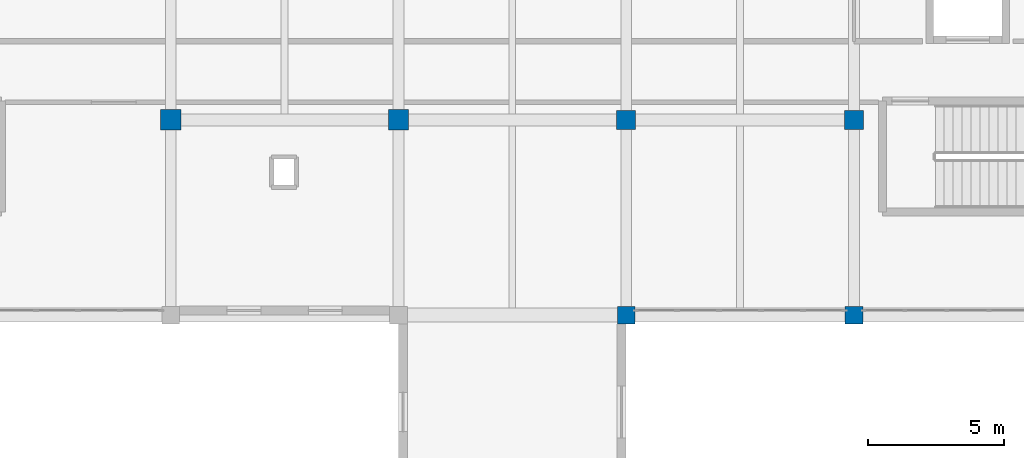
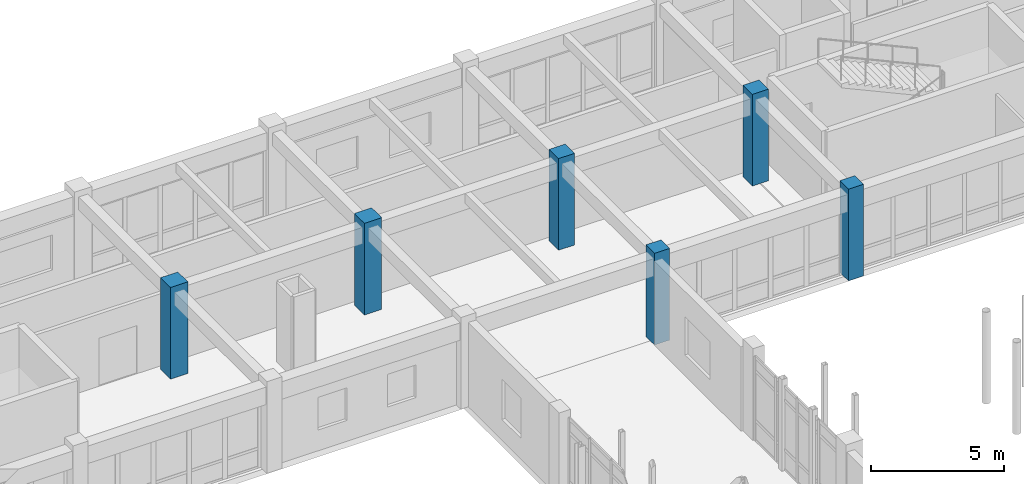
# One storey, part 25 of 147: 6 columns.
"""IFC4 building model written with IfcOpenShell, lengths in metres."""

from ifc_helpers import new_model, si_unit, direction, frame, origin, origin_2d, place, context, subcontext, project, spatial, rectangle, extrude, material, material_profile, profile_set, type_object, element, save


model = new_model("IFC4")

# Units and contexts
model_context = context("Model", 3, precision=1e-05, world=origin(), true_north=direction((0.0, 1.0)))
body_context = subcontext(model_context, "Body", "Model", "MODEL_VIEW")
ifc_project = project(units=[si_unit("LENGTHUNIT", "METRE"), si_unit("AREAUNIT", "SQUARE_METRE"), si_unit("VOLUMEUNIT", "CUBIC_METRE"), si_unit("PLANEANGLEUNIT", "RADIAN"), si_unit("MASSUNIT", "GRAM", prefix="KILO")], contexts=[model_context])

# Site, building, storey
site_placement = place(None, origin())
site = spatial("IfcSite", under=ifc_project, at=site_placement, CompositionType="ELEMENT")
building_placement = place(site_placement, origin())
building = spatial("IfcBuilding", under=site, at=building_placement, Name="Malvenik Polytechnic", CompositionType="ELEMENT")
storey_placement = place(building_placement, frame((0.0, 0.0, 5.10009765625)))
storey = spatial("IfcBuildingStorey", under=building, at=storey_placement, Name="L01", CompositionType="ELEMENT", Elevation=5.10009765625)

# Columns
ifc_material_1 = material(Name="Concrete C40/50", Category="concrete")
ifc_material_profile_1 = material_profile(ifc_material_1, rectangle(XDim=0.75, YDim=0.75, at=origin_2d()), Name="RC COL 750x750")
ifc_profile_set_1 = profile_set([ifc_material_profile_1], Name="Concrete C40/50")
column_type_1 = type_object("IfcColumnType", Name="STR-COL-C-03", PredefinedType="COLUMN", material=ifc_profile_set_1)
for number, where, z_axis, x_axis, name in (
    (1, (67.199951171875, 122.39990234375, 0.0), (0.0, 0.0, 1.0), (1.0, 0.0, 0.0), "Column C-03 L01 (67.2,122.4)"),
    (2, (75.60009765625, 122.39990234375, 0.0), (0.0, 0.0, 1.0), (1.0, 0.0, 0.0), "Column C-03 L01 (75.6,122.4)"),
):
    element("IfcColumn", number, at=place(storey_placement, frame(where, z_axis=z_axis, x_axis=x_axis)), inside=storey, type_object=column_type_1, Name=name, PredefinedType="COLUMN", context=body_context, shape_type="SweptSolid", body=[
        extrude(rectangle(XDim=0.75, YDim=0.75, at=origin_2d()), origin(), (0.0, 0.0, 1.0), 4.199951171875),
    ])
ifc_material_profile_2 = material_profile(ifc_material_1, rectangle(XDim=0.699951171875, YDim=0.699951171875, at=origin_2d()), Name="RC COL 700x700")
ifc_profile_set_2 = profile_set([ifc_material_profile_2], Name="Concrete C40/50")
column_type_2 = type_object("IfcColumnType", Name="STR-COL-C-04", PredefinedType="COLUMN", material=ifc_profile_set_2)
for number, where, z_axis, x_axis, name in (
    (3, (84.0, 122.39990234375, 0.0), (0.0, 0.0, 1.0), (1.0, 0.0, 0.0), "Column C-04 L01 (84.0,122.4)"),
    (4, (92.39990234375, 122.39990234375, 0.0), (0.0, 0.0, 1.0), (1.0, 0.0, 0.0), "Column C-04 L01 (92.4,122.4)"),
):
    element("IfcColumn", number, at=place(storey_placement, frame(where, z_axis=z_axis, x_axis=x_axis)), inside=storey, type_object=column_type_2, Name=name, PredefinedType="COLUMN", context=body_context, shape_type="SweptSolid", body=[
        extrude(rectangle(XDim=0.699951171875, YDim=0.699951171875, at=origin_2d()), origin(), (0.0, 0.0, 1.0), 4.199951171875),
    ])
ifc_material_2 = material(Name="Concrete C35/45", Category="concrete")
ifc_material_profile_3 = material_profile(ifc_material_2, rectangle(XDim=0.64990234375, YDim=0.64990234375, at=origin_2d()), Name="RC COL 650x650")
ifc_profile_set_3 = profile_set([ifc_material_profile_3], Name="Concrete C35/45")
column_type_3 = type_object("IfcColumnType", Name="STR-COL-C-05", PredefinedType="COLUMN", material=ifc_profile_set_3)
for number, where, z_axis, x_axis, name in (
    (5, (84.0, 115.199951171875, 0.0), (0.0, 0.0, 1.0), (1.0, 0.0, 0.0), "Column C-05 L01 (84.0,115.2)"),
    (6, (92.39990234375, 115.199951171875, 0.0), (0.0, 0.0, 1.0), (1.0, 0.0, 0.0), "Column C-05 L01 (92.4,115.2)"),
):
    element("IfcColumn", number, at=place(storey_placement, frame(where, z_axis=z_axis, x_axis=x_axis)), inside=storey, type_object=column_type_3, Name=name, PredefinedType="COLUMN", context=body_context, shape_type="SweptSolid", body=[
        extrude(rectangle(XDim=0.64990234375, YDim=0.64990234375, at=origin_2d()), origin(), (0.0, 0.0, 1.0), 4.199951171875),
    ])

save(model, "model.ifc")
